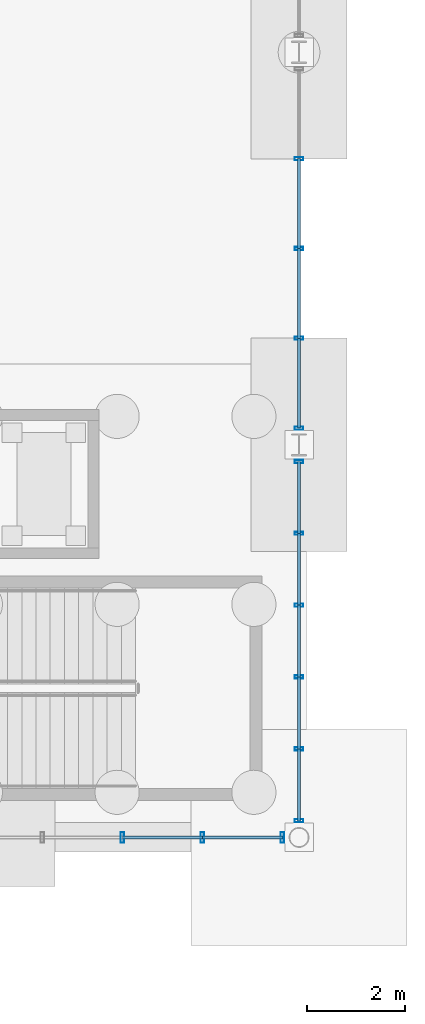
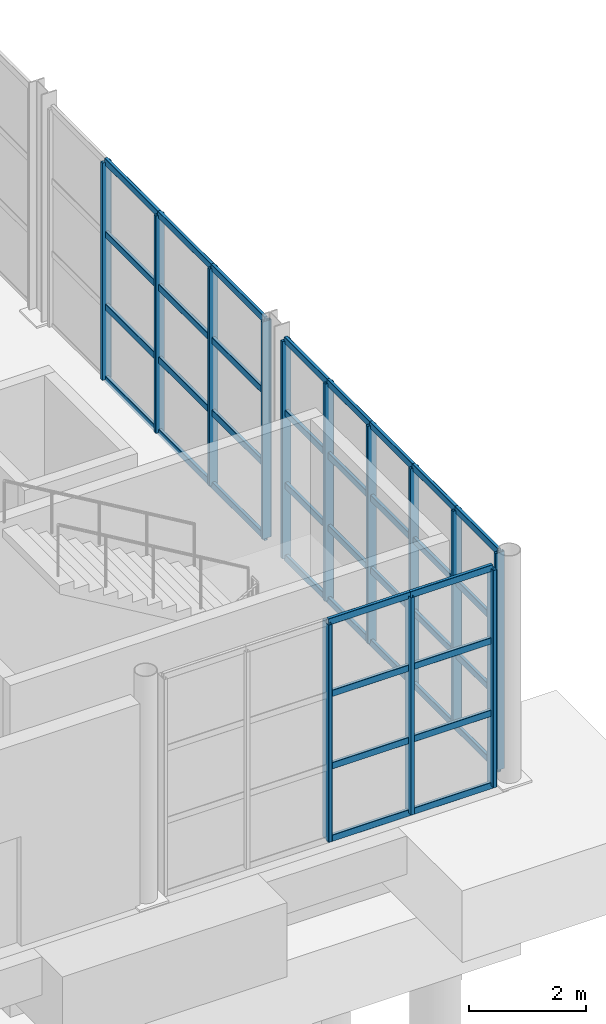
# One storey, part 45 of 101: 53 members, 3 elements without a shape of their own.
"""IFC4 building model written with IfcOpenShell, lengths in metres."""

from ifc_helpers import new_model, si_unit, derived_unit, direction, frame, origin, origin_2d, place, context, subcontext, project, spatial, hollow_rectangle, extrude, material, material_profile, profile_set, type_object, element, aggregate, save


model = new_model("IFC4")

# Units and contexts
model_context = context("Model", 3, precision=1e-05, world=origin(), true_north=direction((0.0, 1.0)))
body_context = subcontext(model_context, "Body", "Model", "MODEL_VIEW")
ifc_project = project(units=[si_unit("LENGTHUNIT", "METRE"), si_unit("AREAUNIT", "SQUARE_METRE"), si_unit("VOLUMEUNIT", "CUBIC_METRE"), si_unit("PLANEANGLEUNIT", "RADIAN"), si_unit("MASSUNIT", "GRAM", prefix="KILO"), derived_unit("THERMALTRANSMITTANCEUNIT", [(si_unit("POWERUNIT", "WATT"), 1), (si_unit("LENGTHUNIT", "METRE"), -2), (si_unit("THERMODYNAMICTEMPERATUREUNIT", "KELVIN"), -1)])], contexts=[model_context])

# Site, building, storey
site_placement = place(None, origin())
site = spatial("IfcSite", under=ifc_project, at=site_placement, CompositionType="ELEMENT")
building_placement = place(site_placement, origin())
building = spatial("IfcBuilding", under=site, at=building_placement, Name="Keldorne Ridge Multi-Sports Centre", CompositionType="ELEMENT")
storey_placement = place(building_placement, origin())
storey = spatial("IfcBuildingStorey", under=building, at=storey_placement, Name="L00", CompositionType="ELEMENT", Elevation=0.0)

# Curtain wall, members
ifc_material = material(Name="Anodized aluminium", Category="aluminium")
curtain_wall_type_1 = type_object("IfcCurtainWallType", Name="CW-CW-02", PredefinedType="NOTDEFINED", material=ifc_material)
curtain_wall_1_placement = place(storey_placement, origin())
curtain_wall_1 = element("IfcCurtainWall", 1, at=curtain_wall_1_placement, inside=storey, type_object=curtain_wall_type_1, Name="Climbing east courtyard glazing L00 058", PredefinedType="NOTDEFINED")
ifc_material_profile_1 = material_profile(ifc_material, hollow_rectangle(XDim=0.06494140625, YDim=0.179931640625, WallThickness=0.00439453125, InnerFilletRadius=0.00439453125, OuterFilletRadius=0.009033203125, at=origin_2d()), Name="ALU MULLION 180x65x4.5")
ifc_profile_set_1 = profile_set([ifc_material_profile_1], Name="Anodized aluminium")
member_type_1 = type_object("IfcMemberType", Name="MEM-ML-01", PredefinedType="MULLION", material=ifc_profile_set_1)
member_1_placement = place(storey_placement, frame((42.0, 74.340087890625, 0.0), z_axis=(0.0, 0.0, 1.0), x_axis=(0.0, 1.0, 0.0)))
member_1 = element("IfcMember", 2, at=member_1_placement, type_object=member_type_1, Name="CW-058 vertical mullion 1", PredefinedType="MULLION", context=body_context, shape_type="SweptSolid", body=[
    extrude(hollow_rectangle(XDim=0.06494140625, YDim=0.179931640625, WallThickness=0.00439453125, InnerFilletRadius=0.00439453125, OuterFilletRadius=0.009033203125, at=origin_2d()), origin(), (0.0, 0.0, 1.0), 4.550048828125),
])
member_2_placement = place(storey_placement, frame((42.0, 75.803955078125, 0.0), z_axis=(0.0, 0.0, 1.0), x_axis=(0.0, 1.0, 0.0)))
member_2 = element("IfcMember", 3, at=member_2_placement, type_object=member_type_1, Name="CW-058 vertical mullion 2", PredefinedType="MULLION", context=body_context, shape_type="SweptSolid", body=[
    extrude(hollow_rectangle(XDim=0.06494140625, YDim=0.179931640625, WallThickness=0.00439453125, InnerFilletRadius=0.00439453125, OuterFilletRadius=0.009033203125, at=origin_2d()), origin(), (0.0, 0.0, 1.0), 4.550048828125),
])
member_3_placement = place(storey_placement, frame((42.0, 77.26806640625, 0.0), z_axis=(0.0, 0.0, 1.0), x_axis=(0.0, 1.0, 0.0)))
member_3 = element("IfcMember", 4, at=member_3_placement, type_object=member_type_1, Name="CW-058 vertical mullion 3", PredefinedType="MULLION", context=body_context, shape_type="SweptSolid", body=[
    extrude(hollow_rectangle(XDim=0.06494140625, YDim=0.179931640625, WallThickness=0.00439453125, InnerFilletRadius=0.00439453125, OuterFilletRadius=0.009033203125, at=origin_2d()), origin(), (0.0, 0.0, 1.0), 4.550048828125),
])
member_4_placement = place(storey_placement, frame((42.0, 78.73193359375, 0.0), z_axis=(0.0, 0.0, 1.0), x_axis=(0.0, 1.0, 0.0)))
member_4 = element("IfcMember", 5, at=member_4_placement, type_object=member_type_1, Name="CW-058 vertical mullion 4", PredefinedType="MULLION", context=body_context, shape_type="SweptSolid", body=[
    extrude(hollow_rectangle(XDim=0.06494140625, YDim=0.179931640625, WallThickness=0.00439453125, InnerFilletRadius=0.00439453125, OuterFilletRadius=0.009033203125, at=origin_2d()), origin(), (0.0, 0.0, 1.0), 4.550048828125),
])
member_5_placement = place(storey_placement, frame((42.0, 80.196044921875, 0.0), z_axis=(0.0, 0.0, 1.0), x_axis=(0.0, 1.0, 0.0)))
member_5 = element("IfcMember", 6, at=member_5_placement, type_object=member_type_1, Name="CW-058 vertical mullion 5", PredefinedType="MULLION", context=body_context, shape_type="SweptSolid", body=[
    extrude(hollow_rectangle(XDim=0.06494140625, YDim=0.179931640625, WallThickness=0.00439453125, InnerFilletRadius=0.00439453125, OuterFilletRadius=0.009033203125, at=origin_2d()), origin(), (0.0, 0.0, 1.0), 4.550048828125),
])
member_6_placement = place(storey_placement, frame((42.0, 81.659912109375, 0.0), z_axis=(0.0, 0.0, 1.0), x_axis=(0.0, 1.0, 0.0)))
member_6 = element("IfcMember", 7, at=member_6_placement, type_object=member_type_1, Name="CW-058 vertical mullion 6", PredefinedType="MULLION", context=body_context, shape_type="SweptSolid", body=[
    extrude(hollow_rectangle(XDim=0.06494140625, YDim=0.179931640625, WallThickness=0.00439453125, InnerFilletRadius=0.00439453125, OuterFilletRadius=0.009033203125, at=origin_2d()), origin(), (0.0, 0.0, 1.0), 4.550048828125),
])

curtain_wall_type_2 = type_object("IfcCurtainWallType", Name="CW-CW-05", PredefinedType="NOTDEFINED", material=ifc_material)
curtain_wall_2_placement = place(storey_placement, origin())
curtain_wall_2 = element("IfcCurtainWall", 8, at=curtain_wall_2_placement, inside=storey, type_object=curtain_wall_type_2, Name="Climbing east courtyard glazing L00 061", PredefinedType="NOTDEFINED")
member_7_placement = place(storey_placement, frame((42.0, 82.340087890625, 0.0), z_axis=(0.0, 0.0, 1.0), x_axis=(0.0, 1.0, 0.0)))
member_7 = element("IfcMember", 9, at=member_7_placement, type_object=member_type_1, Name="CW-061 vertical mullion 1", PredefinedType="MULLION", context=body_context, shape_type="SweptSolid", body=[
    extrude(hollow_rectangle(XDim=0.06494140625, YDim=0.179931640625, WallThickness=0.00439453125, InnerFilletRadius=0.00439453125, OuterFilletRadius=0.009033203125, at=origin_2d()), origin(), (0.0, 0.0, 1.0), 4.550048828125),
])
member_8_placement = place(storey_placement, frame((42.0, 84.169921875, 0.0), z_axis=(0.0, 0.0, 1.0), x_axis=(0.0, 1.0, 0.0)))
member_8 = element("IfcMember", 10, at=member_8_placement, type_object=member_type_1, Name="CW-061 vertical mullion 2", PredefinedType="MULLION", context=body_context, shape_type="SweptSolid", body=[
    extrude(hollow_rectangle(XDim=0.06494140625, YDim=0.179931640625, WallThickness=0.00439453125, InnerFilletRadius=0.00439453125, OuterFilletRadius=0.009033203125, at=origin_2d()), origin(), (0.0, 0.0, 1.0), 4.550048828125),
])
member_9_placement = place(storey_placement, frame((42.0, 86.0, 0.0), z_axis=(0.0, 0.0, 1.0), x_axis=(0.0, 1.0, 0.0)))
member_9 = element("IfcMember", 11, at=member_9_placement, type_object=member_type_1, Name="CW-061 vertical mullion 3", PredefinedType="MULLION", context=body_context, shape_type="SweptSolid", body=[
    extrude(hollow_rectangle(XDim=0.06494140625, YDim=0.179931640625, WallThickness=0.00439453125, InnerFilletRadius=0.00439453125, OuterFilletRadius=0.009033203125, at=origin_2d()), origin(), (0.0, 0.0, 1.0), 4.550048828125),
])
member_10_placement = place(storey_placement, frame((42.0, 87.830078125, 0.0), z_axis=(0.0, 0.0, 1.0), x_axis=(0.0, 1.0, 0.0)))
member_10 = element("IfcMember", 12, at=member_10_placement, type_object=member_type_1, Name="CW-061 vertical mullion 4", PredefinedType="MULLION", context=body_context, shape_type="SweptSolid", body=[
    extrude(hollow_rectangle(XDim=0.06494140625, YDim=0.179931640625, WallThickness=0.00439453125, InnerFilletRadius=0.00439453125, OuterFilletRadius=0.009033203125, at=origin_2d()), origin(), (0.0, 0.0, 1.0), 4.550048828125),
])

curtain_wall_type_3 = type_object("IfcCurtainWallType", Name="CW-CW-04", PredefinedType="NOTDEFINED", material=ifc_material)
curtain_wall_3_placement = place(storey_placement, origin())
curtain_wall_3 = element("IfcCurtainWall", 13, at=curtain_wall_3_placement, inside=storey, type_object=curtain_wall_type_3, Name="Climbing south curtain wall 052", PredefinedType="NOTDEFINED")
ifc_material_profile_2 = material_profile(ifc_material, hollow_rectangle(XDim=0.074951171875, YDim=0.219970703125, WallThickness=0.0048828125, InnerFilletRadius=0.0048828125, OuterFilletRadius=0.010009765625, at=origin_2d()), Name="ALU MULLION 220x75x5")
ifc_profile_set_2 = profile_set([ifc_material_profile_2], Name="Anodized aluminium")
member_type_2 = type_object("IfcMemberType", Name="MEM-ML-02", PredefinedType="MULLION", material=ifc_profile_set_2)
member_11_placement = place(storey_placement, frame((38.39990234375, 74.0, 0.0), z_axis=(0.0, 0.0, 1.0), x_axis=(1.0, 0.0, 0.0)))
member_11 = element("IfcMember", 14, at=member_11_placement, type_object=member_type_2, Name="CW-052 vertical mullion 3", PredefinedType="MULLION", context=body_context, shape_type="SweptSolid", body=[
    extrude(hollow_rectangle(XDim=0.074951171875, YDim=0.219970703125, WallThickness=0.0048828125, InnerFilletRadius=0.0048828125, OuterFilletRadius=0.010009765625, at=origin_2d()), origin(), (0.0, 0.0, 1.0), 4.550048828125),
])
member_12_placement = place(storey_placement, frame((40.030029296875, 74.0, 0.0), z_axis=(0.0, 0.0, 1.0), x_axis=(1.0, 0.0, 0.0)))
member_12 = element("IfcMember", 15, at=member_12_placement, type_object=member_type_2, Name="CW-052 vertical mullion 4", PredefinedType="MULLION", context=body_context, shape_type="SweptSolid", body=[
    extrude(hollow_rectangle(XDim=0.074951171875, YDim=0.219970703125, WallThickness=0.0048828125, InnerFilletRadius=0.0048828125, OuterFilletRadius=0.010009765625, at=origin_2d()), origin(), (0.0, 0.0, 1.0), 4.550048828125),
])
member_13_placement = place(storey_placement, frame((41.659912109375, 74.0, 0.0), z_axis=(0.0, 0.0, 1.0), x_axis=(1.0, 0.0, 0.0)))
member_13 = element("IfcMember", 16, at=member_13_placement, type_object=member_type_2, Name="CW-052 vertical mullion 5", PredefinedType="MULLION", context=body_context, shape_type="SweptSolid", body=[
    extrude(hollow_rectangle(XDim=0.074951171875, YDim=0.219970703125, WallThickness=0.0048828125, InnerFilletRadius=0.0048828125, OuterFilletRadius=0.010009765625, at=origin_2d()), origin(), (0.0, 0.0, 1.0), 4.550048828125),
])
ifc_material_profile_3 = material_profile(ifc_material, hollow_rectangle(XDim=0.06494140625, YDim=0.139892578125, WallThickness=0.00439453125, InnerFilletRadius=0.00439453125, OuterFilletRadius=0.009033203125, at=origin_2d()), Name="ALU TRANSOM 140x65x4.5")
ifc_profile_set_3 = profile_set([ifc_material_profile_3], Name="Anodized aluminium")
member_type_3 = type_object("IfcMemberType", Name="MEM-TR-01", PredefinedType="USERDEFINED", material=ifc_profile_set_3)
member_14_placement = place(storey_placement, frame((38.39990234375, 74.0, 0.0), z_axis=(1.0, 0.0, 0.0), x_axis=(0.0, 1.0, 0.0)))
member_14 = element("IfcMember", 17, at=member_14_placement, type_object=member_type_3, Name="CW-052 transom 3.1", ObjectType="TRANSOM", PredefinedType="USERDEFINED", context=body_context, shape_type="SweptSolid", body=[
    extrude(hollow_rectangle(XDim=0.06494140625, YDim=0.139892578125, WallThickness=0.00439453125, InnerFilletRadius=0.00439453125, OuterFilletRadius=0.009033203125, at=origin_2d()), origin(), (0.0, 0.0, 1.0), 1.630126953125),
])
member_15_placement = place(storey_placement, frame((38.39990234375, 74.0, 1.5166015625), z_axis=(1.0, 0.0, 0.0), x_axis=(0.0, 1.0, 0.0)))
member_15 = element("IfcMember", 18, at=member_15_placement, type_object=member_type_3, Name="CW-052 transom 3.2", ObjectType="TRANSOM", PredefinedType="USERDEFINED", context=body_context, shape_type="SweptSolid", body=[
    extrude(hollow_rectangle(XDim=0.06494140625, YDim=0.139892578125, WallThickness=0.00439453125, InnerFilletRadius=0.00439453125, OuterFilletRadius=0.009033203125, at=origin_2d()), origin(), (0.0, 0.0, 1.0), 1.630126953125),
])
member_16_placement = place(storey_placement, frame((38.39990234375, 74.0, 3.033203125), z_axis=(1.0, 0.0, 0.0), x_axis=(0.0, 1.0, 0.0)))
member_16 = element("IfcMember", 19, at=member_16_placement, type_object=member_type_3, Name="CW-052 transom 3.3", ObjectType="TRANSOM", PredefinedType="USERDEFINED", context=body_context, shape_type="SweptSolid", body=[
    extrude(hollow_rectangle(XDim=0.06494140625, YDim=0.139892578125, WallThickness=0.00439453125, InnerFilletRadius=0.00439453125, OuterFilletRadius=0.009033203125, at=origin_2d()), origin(), (0.0, 0.0, 1.0), 1.630126953125),
])
member_17_placement = place(storey_placement, frame((38.39990234375, 74.0, 4.550048828125), z_axis=(1.0, 0.0, 0.0), x_axis=(0.0, 1.0, 0.0)))
member_17 = element("IfcMember", 20, at=member_17_placement, type_object=member_type_3, Name="CW-052 transom 3.4", ObjectType="TRANSOM", PredefinedType="USERDEFINED", context=body_context, shape_type="SweptSolid", body=[
    extrude(hollow_rectangle(XDim=0.06494140625, YDim=0.139892578125, WallThickness=0.00439453125, InnerFilletRadius=0.00439453125, OuterFilletRadius=0.009033203125, at=origin_2d()), origin(), (0.0, 0.0, 1.0), 1.630126953125),
])
member_18_placement = place(storey_placement, frame((40.030029296875, 74.0, 0.0), z_axis=(1.0, 0.0, 0.0), x_axis=(0.0, 1.0, 0.0)))
member_18 = element("IfcMember", 21, at=member_18_placement, type_object=member_type_3, Name="CW-052 transom 4.1", ObjectType="TRANSOM", PredefinedType="USERDEFINED", context=body_context, shape_type="SweptSolid", body=[
    extrude(hollow_rectangle(XDim=0.06494140625, YDim=0.139892578125, WallThickness=0.00439453125, InnerFilletRadius=0.00439453125, OuterFilletRadius=0.009033203125, at=origin_2d()), origin(), (0.0, 0.0, 1.0), 1.6298828125),
])
member_19_placement = place(storey_placement, frame((40.030029296875, 74.0, 1.5166015625), z_axis=(1.0, 0.0, 0.0), x_axis=(0.0, 1.0, 0.0)))
member_19 = element("IfcMember", 22, at=member_19_placement, type_object=member_type_3, Name="CW-052 transom 4.2", ObjectType="TRANSOM", PredefinedType="USERDEFINED", context=body_context, shape_type="SweptSolid", body=[
    extrude(hollow_rectangle(XDim=0.06494140625, YDim=0.139892578125, WallThickness=0.00439453125, InnerFilletRadius=0.00439453125, OuterFilletRadius=0.009033203125, at=origin_2d()), origin(), (0.0, 0.0, 1.0), 1.6298828125),
])
member_20_placement = place(storey_placement, frame((40.030029296875, 74.0, 3.033203125), z_axis=(1.0, 0.0, 0.0), x_axis=(0.0, 1.0, 0.0)))
member_20 = element("IfcMember", 23, at=member_20_placement, type_object=member_type_3, Name="CW-052 transom 4.3", ObjectType="TRANSOM", PredefinedType="USERDEFINED", context=body_context, shape_type="SweptSolid", body=[
    extrude(hollow_rectangle(XDim=0.06494140625, YDim=0.139892578125, WallThickness=0.00439453125, InnerFilletRadius=0.00439453125, OuterFilletRadius=0.009033203125, at=origin_2d()), origin(), (0.0, 0.0, 1.0), 1.6298828125),
])
member_21_placement = place(storey_placement, frame((40.030029296875, 74.0, 4.550048828125), z_axis=(1.0, 0.0, 0.0), x_axis=(0.0, 1.0, 0.0)))
member_21 = element("IfcMember", 24, at=member_21_placement, type_object=member_type_3, Name="CW-052 transom 4.4", ObjectType="TRANSOM", PredefinedType="USERDEFINED", context=body_context, shape_type="SweptSolid", body=[
    extrude(hollow_rectangle(XDim=0.06494140625, YDim=0.139892578125, WallThickness=0.00439453125, InnerFilletRadius=0.00439453125, OuterFilletRadius=0.009033203125, at=origin_2d()), origin(), (0.0, 0.0, 1.0), 1.6298828125),
])
aggregate(curtain_wall_3, [member_11, member_12, member_13, member_14, member_15, member_16, member_17, member_18, member_19, member_20, member_21])

# Member
member_22_placement = place(storey_placement, frame((42.0, 74.340087890625, 0.0), z_axis=(0.0, 1.0, 0.0), x_axis=(-1.0, 0.0, 0.0)))
member_22 = element("IfcMember", 25, at=member_22_placement, type_object=member_type_3, Name="CW-058 transom 1.1", ObjectType="TRANSOM", PredefinedType="USERDEFINED", context=body_context, shape_type="SweptSolid", body=[
    extrude(hollow_rectangle(XDim=0.06494140625, YDim=0.139892578125, WallThickness=0.00439453125, InnerFilletRadius=0.00439453125, OuterFilletRadius=0.009033203125, at=origin_2d()), origin(), (0.0, 0.0, 1.0), 1.4638671875),
])

member_23_placement = place(storey_placement, frame((42.0, 74.340087890625, 1.5166015625), z_axis=(0.0, 1.0, 0.0), x_axis=(-1.0, 0.0, 0.0)))
member_23 = element("IfcMember", 26, at=member_23_placement, type_object=member_type_3, Name="CW-058 transom 1.2", ObjectType="TRANSOM", PredefinedType="USERDEFINED", context=body_context, shape_type="SweptSolid", body=[
    extrude(hollow_rectangle(XDim=0.06494140625, YDim=0.139892578125, WallThickness=0.00439453125, InnerFilletRadius=0.00439453125, OuterFilletRadius=0.009033203125, at=origin_2d()), origin(), (0.0, 0.0, 1.0), 1.4638671875),
])

member_24_placement = place(storey_placement, frame((42.0, 74.340087890625, 3.033203125), z_axis=(0.0, 1.0, 0.0), x_axis=(-1.0, 0.0, 0.0)))
member_24 = element("IfcMember", 27, at=member_24_placement, type_object=member_type_3, Name="CW-058 transom 1.3", ObjectType="TRANSOM", PredefinedType="USERDEFINED", context=body_context, shape_type="SweptSolid", body=[
    extrude(hollow_rectangle(XDim=0.06494140625, YDim=0.139892578125, WallThickness=0.00439453125, InnerFilletRadius=0.00439453125, OuterFilletRadius=0.009033203125, at=origin_2d()), origin(), (0.0, 0.0, 1.0), 1.4638671875),
])

member_25_placement = place(storey_placement, frame((42.0, 74.340087890625, 4.550048828125), z_axis=(0.0, 1.0, 0.0), x_axis=(-1.0, 0.0, 0.0)))
member_25 = element("IfcMember", 28, at=member_25_placement, type_object=member_type_3, Name="CW-058 transom 1.4", ObjectType="TRANSOM", PredefinedType="USERDEFINED", context=body_context, shape_type="SweptSolid", body=[
    extrude(hollow_rectangle(XDim=0.06494140625, YDim=0.139892578125, WallThickness=0.00439453125, InnerFilletRadius=0.00439453125, OuterFilletRadius=0.009033203125, at=origin_2d()), origin(), (0.0, 0.0, 1.0), 1.4638671875),
])

member_26_placement = place(storey_placement, frame((42.0, 75.803955078125, 0.0), z_axis=(0.0, 1.0, 0.0), x_axis=(-1.0, 0.0, 0.0)))
member_26 = element("IfcMember", 29, at=member_26_placement, type_object=member_type_3, Name="CW-058 transom 2.1", ObjectType="TRANSOM", PredefinedType="USERDEFINED", context=body_context, shape_type="SweptSolid", body=[
    extrude(hollow_rectangle(XDim=0.06494140625, YDim=0.139892578125, WallThickness=0.00439453125, InnerFilletRadius=0.00439453125, OuterFilletRadius=0.009033203125, at=origin_2d()), origin(), (0.0, 0.0, 1.0), 1.464111328125),
])

member_27_placement = place(storey_placement, frame((42.0, 75.803955078125, 1.5166015625), z_axis=(0.0, 1.0, 0.0), x_axis=(-1.0, 0.0, 0.0)))
member_27 = element("IfcMember", 30, at=member_27_placement, type_object=member_type_3, Name="CW-058 transom 2.2", ObjectType="TRANSOM", PredefinedType="USERDEFINED", context=body_context, shape_type="SweptSolid", body=[
    extrude(hollow_rectangle(XDim=0.06494140625, YDim=0.139892578125, WallThickness=0.00439453125, InnerFilletRadius=0.00439453125, OuterFilletRadius=0.009033203125, at=origin_2d()), origin(), (0.0, 0.0, 1.0), 1.464111328125),
])

member_28_placement = place(storey_placement, frame((42.0, 75.803955078125, 3.033203125), z_axis=(0.0, 1.0, 0.0), x_axis=(-1.0, 0.0, 0.0)))
member_28 = element("IfcMember", 31, at=member_28_placement, type_object=member_type_3, Name="CW-058 transom 2.3", ObjectType="TRANSOM", PredefinedType="USERDEFINED", context=body_context, shape_type="SweptSolid", body=[
    extrude(hollow_rectangle(XDim=0.06494140625, YDim=0.139892578125, WallThickness=0.00439453125, InnerFilletRadius=0.00439453125, OuterFilletRadius=0.009033203125, at=origin_2d()), origin(), (0.0, 0.0, 1.0), 1.464111328125),
])

member_29_placement = place(storey_placement, frame((42.0, 75.803955078125, 4.550048828125), z_axis=(0.0, 1.0, 0.0), x_axis=(-1.0, 0.0, 0.0)))
member_29 = element("IfcMember", 32, at=member_29_placement, type_object=member_type_3, Name="CW-058 transom 2.4", ObjectType="TRANSOM", PredefinedType="USERDEFINED", context=body_context, shape_type="SweptSolid", body=[
    extrude(hollow_rectangle(XDim=0.06494140625, YDim=0.139892578125, WallThickness=0.00439453125, InnerFilletRadius=0.00439453125, OuterFilletRadius=0.009033203125, at=origin_2d()), origin(), (0.0, 0.0, 1.0), 1.464111328125),
])

member_30_placement = place(storey_placement, frame((42.0, 77.26806640625, 0.0), z_axis=(0.0, 1.0, 0.0), x_axis=(-1.0, 0.0, 0.0)))
member_30 = element("IfcMember", 33, at=member_30_placement, type_object=member_type_3, Name="CW-058 transom 3.1", ObjectType="TRANSOM", PredefinedType="USERDEFINED", context=body_context, shape_type="SweptSolid", body=[
    extrude(hollow_rectangle(XDim=0.06494140625, YDim=0.139892578125, WallThickness=0.00439453125, InnerFilletRadius=0.00439453125, OuterFilletRadius=0.009033203125, at=origin_2d()), origin(), (0.0, 0.0, 1.0), 1.4638671875),
])

member_31_placement = place(storey_placement, frame((42.0, 77.26806640625, 1.5166015625), z_axis=(0.0, 1.0, 0.0), x_axis=(-1.0, 0.0, 0.0)))
member_31 = element("IfcMember", 34, at=member_31_placement, type_object=member_type_3, Name="CW-058 transom 3.2", ObjectType="TRANSOM", PredefinedType="USERDEFINED", context=body_context, shape_type="SweptSolid", body=[
    extrude(hollow_rectangle(XDim=0.06494140625, YDim=0.139892578125, WallThickness=0.00439453125, InnerFilletRadius=0.00439453125, OuterFilletRadius=0.009033203125, at=origin_2d()), origin(), (0.0, 0.0, 1.0), 1.4638671875),
])

member_32_placement = place(storey_placement, frame((42.0, 77.26806640625, 3.033203125), z_axis=(0.0, 1.0, 0.0), x_axis=(-1.0, 0.0, 0.0)))
member_32 = element("IfcMember", 35, at=member_32_placement, type_object=member_type_3, Name="CW-058 transom 3.3", ObjectType="TRANSOM", PredefinedType="USERDEFINED", context=body_context, shape_type="SweptSolid", body=[
    extrude(hollow_rectangle(XDim=0.06494140625, YDim=0.139892578125, WallThickness=0.00439453125, InnerFilletRadius=0.00439453125, OuterFilletRadius=0.009033203125, at=origin_2d()), origin(), (0.0, 0.0, 1.0), 1.4638671875),
])

member_33_placement = place(storey_placement, frame((42.0, 77.26806640625, 4.550048828125), z_axis=(0.0, 1.0, 0.0), x_axis=(-1.0, 0.0, 0.0)))
member_33 = element("IfcMember", 36, at=member_33_placement, type_object=member_type_3, Name="CW-058 transom 3.4", ObjectType="TRANSOM", PredefinedType="USERDEFINED", context=body_context, shape_type="SweptSolid", body=[
    extrude(hollow_rectangle(XDim=0.06494140625, YDim=0.139892578125, WallThickness=0.00439453125, InnerFilletRadius=0.00439453125, OuterFilletRadius=0.009033203125, at=origin_2d()), origin(), (0.0, 0.0, 1.0), 1.4638671875),
])

member_34_placement = place(storey_placement, frame((42.0, 78.73193359375, 0.0), z_axis=(0.0, 1.0, 0.0), x_axis=(-1.0, 0.0, 0.0)))
member_34 = element("IfcMember", 37, at=member_34_placement, type_object=member_type_3, Name="CW-058 transom 4.1", ObjectType="TRANSOM", PredefinedType="USERDEFINED", context=body_context, shape_type="SweptSolid", body=[
    extrude(hollow_rectangle(XDim=0.06494140625, YDim=0.139892578125, WallThickness=0.00439453125, InnerFilletRadius=0.00439453125, OuterFilletRadius=0.009033203125, at=origin_2d()), origin(), (0.0, 0.0, 1.0), 1.464111328125),
])

member_35_placement = place(storey_placement, frame((42.0, 78.73193359375, 1.5166015625), z_axis=(0.0, 1.0, 0.0), x_axis=(-1.0, 0.0, 0.0)))
member_35 = element("IfcMember", 38, at=member_35_placement, type_object=member_type_3, Name="CW-058 transom 4.2", ObjectType="TRANSOM", PredefinedType="USERDEFINED", context=body_context, shape_type="SweptSolid", body=[
    extrude(hollow_rectangle(XDim=0.06494140625, YDim=0.139892578125, WallThickness=0.00439453125, InnerFilletRadius=0.00439453125, OuterFilletRadius=0.009033203125, at=origin_2d()), origin(), (0.0, 0.0, 1.0), 1.464111328125),
])

member_36_placement = place(storey_placement, frame((42.0, 78.73193359375, 3.033203125), z_axis=(0.0, 1.0, 0.0), x_axis=(-1.0, 0.0, 0.0)))
member_36 = element("IfcMember", 39, at=member_36_placement, type_object=member_type_3, Name="CW-058 transom 4.3", ObjectType="TRANSOM", PredefinedType="USERDEFINED", context=body_context, shape_type="SweptSolid", body=[
    extrude(hollow_rectangle(XDim=0.06494140625, YDim=0.139892578125, WallThickness=0.00439453125, InnerFilletRadius=0.00439453125, OuterFilletRadius=0.009033203125, at=origin_2d()), origin(), (0.0, 0.0, 1.0), 1.464111328125),
])

member_37_placement = place(storey_placement, frame((42.0, 78.73193359375, 4.550048828125), z_axis=(0.0, 1.0, 0.0), x_axis=(-1.0, 0.0, 0.0)))
member_37 = element("IfcMember", 40, at=member_37_placement, type_object=member_type_3, Name="CW-058 transom 4.4", ObjectType="TRANSOM", PredefinedType="USERDEFINED", context=body_context, shape_type="SweptSolid", body=[
    extrude(hollow_rectangle(XDim=0.06494140625, YDim=0.139892578125, WallThickness=0.00439453125, InnerFilletRadius=0.00439453125, OuterFilletRadius=0.009033203125, at=origin_2d()), origin(), (0.0, 0.0, 1.0), 1.464111328125),
])

member_38_placement = place(storey_placement, frame((42.0, 80.196044921875, 0.0), z_axis=(0.0, 1.0, 0.0), x_axis=(-1.0, 0.0, 0.0)))
member_38 = element("IfcMember", 41, at=member_38_placement, type_object=member_type_3, Name="CW-058 transom 5.1", ObjectType="TRANSOM", PredefinedType="USERDEFINED", context=body_context, shape_type="SweptSolid", body=[
    extrude(hollow_rectangle(XDim=0.06494140625, YDim=0.139892578125, WallThickness=0.00439453125, InnerFilletRadius=0.00439453125, OuterFilletRadius=0.009033203125, at=origin_2d()), origin(), (0.0, 0.0, 1.0), 1.4638671875),
])

member_39_placement = place(storey_placement, frame((42.0, 80.196044921875, 1.5166015625), z_axis=(0.0, 1.0, 0.0), x_axis=(-1.0, 0.0, 0.0)))
member_39 = element("IfcMember", 42, at=member_39_placement, type_object=member_type_3, Name="CW-058 transom 5.2", ObjectType="TRANSOM", PredefinedType="USERDEFINED", context=body_context, shape_type="SweptSolid", body=[
    extrude(hollow_rectangle(XDim=0.06494140625, YDim=0.139892578125, WallThickness=0.00439453125, InnerFilletRadius=0.00439453125, OuterFilletRadius=0.009033203125, at=origin_2d()), origin(), (0.0, 0.0, 1.0), 1.4638671875),
])

member_40_placement = place(storey_placement, frame((42.0, 80.196044921875, 3.033203125), z_axis=(0.0, 1.0, 0.0), x_axis=(-1.0, 0.0, 0.0)))
member_40 = element("IfcMember", 43, at=member_40_placement, type_object=member_type_3, Name="CW-058 transom 5.3", ObjectType="TRANSOM", PredefinedType="USERDEFINED", context=body_context, shape_type="SweptSolid", body=[
    extrude(hollow_rectangle(XDim=0.06494140625, YDim=0.139892578125, WallThickness=0.00439453125, InnerFilletRadius=0.00439453125, OuterFilletRadius=0.009033203125, at=origin_2d()), origin(), (0.0, 0.0, 1.0), 1.4638671875),
])

member_41_placement = place(storey_placement, frame((42.0, 80.196044921875, 4.550048828125), z_axis=(0.0, 1.0, 0.0), x_axis=(-1.0, 0.0, 0.0)))
member_41 = element("IfcMember", 44, at=member_41_placement, type_object=member_type_3, Name="CW-058 transom 5.4", ObjectType="TRANSOM", PredefinedType="USERDEFINED", context=body_context, shape_type="SweptSolid", body=[
    extrude(hollow_rectangle(XDim=0.06494140625, YDim=0.139892578125, WallThickness=0.00439453125, InnerFilletRadius=0.00439453125, OuterFilletRadius=0.009033203125, at=origin_2d()), origin(), (0.0, 0.0, 1.0), 1.4638671875),
])

aggregate(curtain_wall_1, [member_1, member_2, member_3, member_4, member_5, member_6, member_22, member_23, member_24, member_25, member_26, member_27, member_28, member_29, member_30, member_31, member_32, member_33, member_34, member_35, member_36, member_37, member_38, member_39, member_40, member_41])

member_42_placement = place(storey_placement, frame((42.0, 82.340087890625, 0.0), z_axis=(0.0, 1.0, 0.0), x_axis=(-1.0, 0.0, 0.0)))
member_42 = element("IfcMember", 45, at=member_42_placement, type_object=member_type_3, Name="CW-061 transom 1.1", ObjectType="TRANSOM", PredefinedType="USERDEFINED", context=body_context, shape_type="SweptSolid", body=[
    extrude(hollow_rectangle(XDim=0.06494140625, YDim=0.139892578125, WallThickness=0.00439453125, InnerFilletRadius=0.00439453125, OuterFilletRadius=0.009033203125, at=origin_2d()), origin(), (0.0, 0.0, 1.0), 1.829833984375),
])

member_43_placement = place(storey_placement, frame((42.0, 82.340087890625, 1.5166015625), z_axis=(0.0, 1.0, 0.0), x_axis=(-1.0, 0.0, 0.0)))
member_43 = element("IfcMember", 46, at=member_43_placement, type_object=member_type_3, Name="CW-061 transom 1.2", ObjectType="TRANSOM", PredefinedType="USERDEFINED", context=body_context, shape_type="SweptSolid", body=[
    extrude(hollow_rectangle(XDim=0.06494140625, YDim=0.139892578125, WallThickness=0.00439453125, InnerFilletRadius=0.00439453125, OuterFilletRadius=0.009033203125, at=origin_2d()), origin(), (0.0, 0.0, 1.0), 1.829833984375),
])

member_44_placement = place(storey_placement, frame((42.0, 82.340087890625, 3.033203125), z_axis=(0.0, 1.0, 0.0), x_axis=(-1.0, 0.0, 0.0)))
member_44 = element("IfcMember", 47, at=member_44_placement, type_object=member_type_3, Name="CW-061 transom 1.3", ObjectType="TRANSOM", PredefinedType="USERDEFINED", context=body_context, shape_type="SweptSolid", body=[
    extrude(hollow_rectangle(XDim=0.06494140625, YDim=0.139892578125, WallThickness=0.00439453125, InnerFilletRadius=0.00439453125, OuterFilletRadius=0.009033203125, at=origin_2d()), origin(), (0.0, 0.0, 1.0), 1.829833984375),
])

member_45_placement = place(storey_placement, frame((42.0, 82.340087890625, 4.550048828125), z_axis=(0.0, 1.0, 0.0), x_axis=(-1.0, 0.0, 0.0)))
member_45 = element("IfcMember", 48, at=member_45_placement, type_object=member_type_3, Name="CW-061 transom 1.4", ObjectType="TRANSOM", PredefinedType="USERDEFINED", context=body_context, shape_type="SweptSolid", body=[
    extrude(hollow_rectangle(XDim=0.06494140625, YDim=0.139892578125, WallThickness=0.00439453125, InnerFilletRadius=0.00439453125, OuterFilletRadius=0.009033203125, at=origin_2d()), origin(), (0.0, 0.0, 1.0), 1.829833984375),
])

member_46_placement = place(storey_placement, frame((42.0, 84.169921875, 0.0), z_axis=(0.0, 1.0, 0.0), x_axis=(-1.0, 0.0, 0.0)))
member_46 = element("IfcMember", 49, at=member_46_placement, type_object=member_type_3, Name="CW-061 transom 2.1", ObjectType="TRANSOM", PredefinedType="USERDEFINED", context=body_context, shape_type="SweptSolid", body=[
    extrude(hollow_rectangle(XDim=0.06494140625, YDim=0.139892578125, WallThickness=0.00439453125, InnerFilletRadius=0.00439453125, OuterFilletRadius=0.009033203125, at=origin_2d()), origin(), (0.0, 0.0, 1.0), 1.830078125),
])

member_47_placement = place(storey_placement, frame((42.0, 84.169921875, 1.5166015625), z_axis=(0.0, 1.0, 0.0), x_axis=(-1.0, 0.0, 0.0)))
member_47 = element("IfcMember", 50, at=member_47_placement, type_object=member_type_3, Name="CW-061 transom 2.2", ObjectType="TRANSOM", PredefinedType="USERDEFINED", context=body_context, shape_type="SweptSolid", body=[
    extrude(hollow_rectangle(XDim=0.06494140625, YDim=0.139892578125, WallThickness=0.00439453125, InnerFilletRadius=0.00439453125, OuterFilletRadius=0.009033203125, at=origin_2d()), origin(), (0.0, 0.0, 1.0), 1.830078125),
])

member_48_placement = place(storey_placement, frame((42.0, 84.169921875, 3.033203125), z_axis=(0.0, 1.0, 0.0), x_axis=(-1.0, 0.0, 0.0)))
member_48 = element("IfcMember", 51, at=member_48_placement, type_object=member_type_3, Name="CW-061 transom 2.3", ObjectType="TRANSOM", PredefinedType="USERDEFINED", context=body_context, shape_type="SweptSolid", body=[
    extrude(hollow_rectangle(XDim=0.06494140625, YDim=0.139892578125, WallThickness=0.00439453125, InnerFilletRadius=0.00439453125, OuterFilletRadius=0.009033203125, at=origin_2d()), origin(), (0.0, 0.0, 1.0), 1.830078125),
])

member_49_placement = place(storey_placement, frame((42.0, 84.169921875, 4.550048828125), z_axis=(0.0, 1.0, 0.0), x_axis=(-1.0, 0.0, 0.0)))
member_49 = element("IfcMember", 52, at=member_49_placement, type_object=member_type_3, Name="CW-061 transom 2.4", ObjectType="TRANSOM", PredefinedType="USERDEFINED", context=body_context, shape_type="SweptSolid", body=[
    extrude(hollow_rectangle(XDim=0.06494140625, YDim=0.139892578125, WallThickness=0.00439453125, InnerFilletRadius=0.00439453125, OuterFilletRadius=0.009033203125, at=origin_2d()), origin(), (0.0, 0.0, 1.0), 1.830078125),
])

member_50_placement = place(storey_placement, frame((42.0, 86.0, 0.0), z_axis=(0.0, 1.0, 0.0), x_axis=(-1.0, 0.0, 0.0)))
member_50 = element("IfcMember", 53, at=member_50_placement, type_object=member_type_3, Name="CW-061 transom 3.1", ObjectType="TRANSOM", PredefinedType="USERDEFINED", context=body_context, shape_type="SweptSolid", body=[
    extrude(hollow_rectangle(XDim=0.06494140625, YDim=0.139892578125, WallThickness=0.00439453125, InnerFilletRadius=0.00439453125, OuterFilletRadius=0.009033203125, at=origin_2d()), origin(), (0.0, 0.0, 1.0), 1.830078125),
])

member_51_placement = place(storey_placement, frame((42.0, 86.0, 1.5166015625), z_axis=(0.0, 1.0, 0.0), x_axis=(-1.0, 0.0, 0.0)))
member_51 = element("IfcMember", 54, at=member_51_placement, type_object=member_type_3, Name="CW-061 transom 3.2", ObjectType="TRANSOM", PredefinedType="USERDEFINED", context=body_context, shape_type="SweptSolid", body=[
    extrude(hollow_rectangle(XDim=0.06494140625, YDim=0.139892578125, WallThickness=0.00439453125, InnerFilletRadius=0.00439453125, OuterFilletRadius=0.009033203125, at=origin_2d()), origin(), (0.0, 0.0, 1.0), 1.830078125),
])

member_52_placement = place(storey_placement, frame((42.0, 86.0, 3.033203125), z_axis=(0.0, 1.0, 0.0), x_axis=(-1.0, 0.0, 0.0)))
member_52 = element("IfcMember", 55, at=member_52_placement, type_object=member_type_3, Name="CW-061 transom 3.3", ObjectType="TRANSOM", PredefinedType="USERDEFINED", context=body_context, shape_type="SweptSolid", body=[
    extrude(hollow_rectangle(XDim=0.06494140625, YDim=0.139892578125, WallThickness=0.00439453125, InnerFilletRadius=0.00439453125, OuterFilletRadius=0.009033203125, at=origin_2d()), origin(), (0.0, 0.0, 1.0), 1.830078125),
])

member_53_placement = place(storey_placement, frame((42.0, 86.0, 4.550048828125), z_axis=(0.0, 1.0, 0.0), x_axis=(-1.0, 0.0, 0.0)))
member_53 = element("IfcMember", 56, at=member_53_placement, type_object=member_type_3, Name="CW-061 transom 3.4", ObjectType="TRANSOM", PredefinedType="USERDEFINED", context=body_context, shape_type="SweptSolid", body=[
    extrude(hollow_rectangle(XDim=0.06494140625, YDim=0.139892578125, WallThickness=0.00439453125, InnerFilletRadius=0.00439453125, OuterFilletRadius=0.009033203125, at=origin_2d()), origin(), (0.0, 0.0, 1.0), 1.830078125),
])

aggregate(curtain_wall_2, [member_7, member_8, member_9, member_10, member_42, member_43, member_44, member_45, member_46, member_47, member_48, member_49, member_50, member_51, member_52, member_53])

save(model, "model.ifc")
